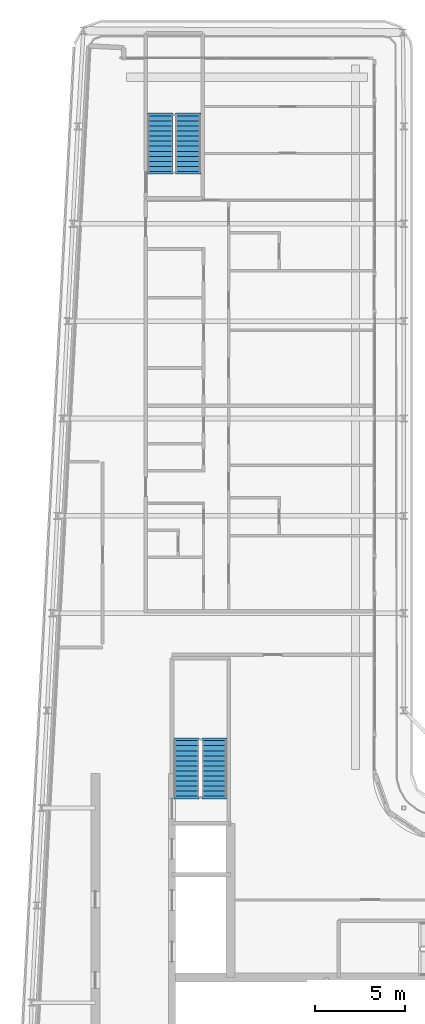
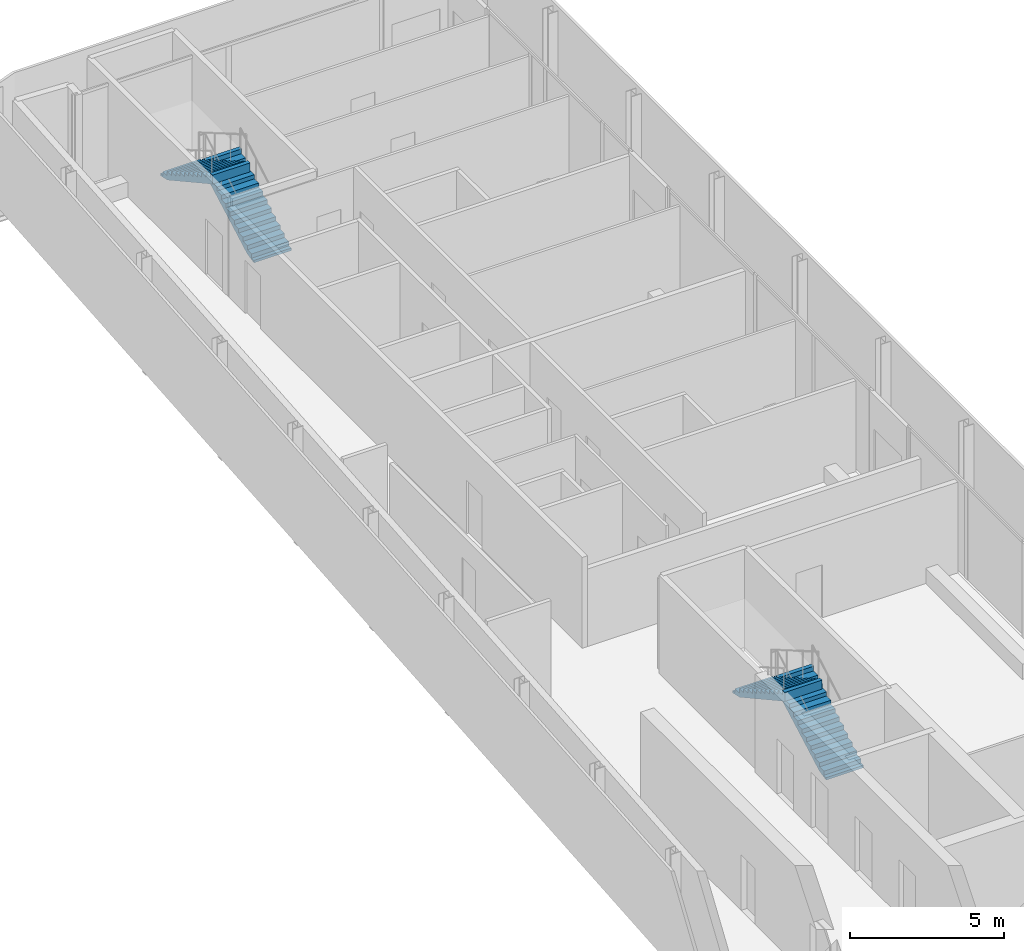
# One storey, part 12 of 17: 4 stair flights, 2 elements without a shape of their own.
"""IFC4 building model written with IfcOpenShell, lengths in metres."""

import ifcopenshell
import ifcopenshell.guid

model = None  # the IFC model being written
_history = None  # IfcOwnerHistory: only IFC2X3 demands one
_inside = {}  # id of a spatial element -> (the spatial element, [elements in it])
_under = {}  # id of a project, library or spatial element -> (it, [spatial elements below it])
_declared = {}  # id of a project -> (the project, [libraries it declares])
_typed = {}  # id of a type object -> (the type object, [elements of that type])
_made_of = {}  # id of a material, layer set ... -> (it, [elements and type objects made of it])


def new_model(schema):
    """Start an empty IFC model of exactly this schema.

    Asked for "IFC4X3", IfcOpenShell would pick the latest addendum, in which some entities
    have other attributes; the version numbers below select the first issue.
    IFC2X3 requires an IfcOwnerHistory on every rooted entity: one is made here for all.
    """
    global model, _history
    if schema == "IFC4X3":
        model = ifcopenshell.file(schema_version=(4, 3, 0, 0))
    else:
        model = ifcopenshell.file(schema=schema)
    _inside.clear()
    _under.clear()
    _declared.clear()
    _typed.clear()
    _made_of.clear()
    _history = None
    if model.schema == "IFC2X3":
        org = make("IfcOrganization", Name="unknown")
        user = make(
            "IfcPersonAndOrganization",
            ThePerson=make("IfcPerson", FamilyName="unknown"),
            TheOrganization=org,
        )
        app = make(
            "IfcApplication",
            ApplicationDeveloper=org,
            Version="unknown",
            ApplicationFullName="unknown",
            ApplicationIdentifier="unknown",
        )
        _history = make(
            "IfcOwnerHistory",
            OwningUser=user,
            OwningApplication=app,
            ChangeAction="ADDED",
            CreationDate=0,
        )
    return model


def make(cls, **values):
    """One entity of the class cls with the attributes given. An attribute that is None is left unset."""
    return model.create_entity(
        cls, **{name: value for name, value in values.items() if value is not None}
    )


def rooted(cls, **values):
    """An entity with a GlobalId (a new one), such as an element, a storey or a relation."""
    return make(cls, GlobalId=ifcopenshell.guid.new(), OwnerHistory=_history, **values)


def si_unit(unit_type, name, prefix=None):
    """IfcSIUnit, for example si_unit("LENGTHUNIT", "METRE", prefix="MILLI")."""
    return make("IfcSIUnit", UnitType=unit_type, Prefix=prefix, Name=name)


def assignment(units):
    """IfcUnitAssignment: the units of a project."""
    return None if units is None else make("IfcUnitAssignment", Units=units)


def point(xyz):
    """IfcCartesianPoint."""
    return None if xyz is None else make("IfcCartesianPoint", Coordinates=xyz)


def direction(xyz):
    """IfcDirection."""
    return None if xyz is None else make("IfcDirection", DirectionRatios=xyz)


def frame(location, z_axis=None, x_axis=None):
    """IfcAxis2Placement3D, a coordinate frame: its origin and axes. An axis left out is left unset."""
    return make(
        "IfcAxis2Placement3D",
        Location=point(location),
        Axis=direction(z_axis),
        RefDirection=direction(x_axis),
    )


def origin():
    """The frame at (0, 0, 0) with its axes left unset."""
    return frame((0.0, 0.0, 0.0))


def place(relative_to, where):
    """IfcLocalPlacement: puts the frame where relative to a parent placement (None: the world)."""
    return make(
        "IfcLocalPlacement", PlacementRelTo=relative_to, RelativePlacement=where
    )


def context(
    kind, dimensions, precision=None, world=None, true_north=None, identifier=None
):
    """IfcGeometricRepresentationContext, for example the 3D "Model" context."""
    return make(
        "IfcGeometricRepresentationContext",
        ContextIdentifier=identifier,
        ContextType=kind,
        CoordinateSpaceDimension=dimensions,
        Precision=precision,
        WorldCoordinateSystem=world,
        TrueNorth=true_north,
    )


def subcontext(parent, identifier, kind, view, scale=None):
    """IfcGeometricRepresentationSubContext, for example "Body" below "Model"."""
    return make(
        "IfcGeometricRepresentationSubContext",
        ContextIdentifier=identifier,
        ContextType=kind,
        ParentContext=parent,
        TargetScale=scale,
        TargetView=view,
    )


def project(units=None, contexts=None):
    """IfcProject with its units and contexts."""
    return rooted(
        "IfcProject",
        Name="project",
        RepresentationContexts=contexts,
        UnitsInContext=assignment(units),
    )


def spatial(cls, under=None, at=None, **own):
    """A site, building, storey or space (cls), placed at a placement, below another one or the project."""
    s = rooted(cls, ObjectPlacement=at, **own)
    if under is not None:
        _under.setdefault(under.id(), (under, []))[1].append(s)
    return s


def polyline(points):
    """IfcPolyline through the points."""
    return make("IfcPolyline", Points=[point(p) for p in points])


def outline(outer, holes=None, kind="AREA"):
    """IfcArbitraryClosedProfileDef: a profile drawn as a closed curve; with holes, ...WithVoids."""
    if holes is None:
        return make("IfcArbitraryClosedProfileDef", ProfileType=kind, OuterCurve=outer)
    return make(
        "IfcArbitraryProfileDefWithVoids",
        ProfileType=kind,
        OuterCurve=outer,
        InnerCurves=holes,
    )


def extrude(swept, where, along, depth):
    """IfcExtrudedAreaSolid: the profile swept, set in the frame where, extruded along a direction by depth."""
    return make(
        "IfcExtrudedAreaSolid",
        SweptArea=swept,
        Position=where,
        ExtrudedDirection=direction(along),
        Depth=depth,
    )


def shape(context_of_items, identifier, shape_type, items):
    """IfcShapeRepresentation: the items that make up one representation, for example the "Body"."""
    return make(
        "IfcShapeRepresentation",
        ContextOfItems=context_of_items,
        RepresentationIdentifier=identifier,
        RepresentationType=shape_type,
        Items=items,
    )


def material(Name=None, Category=None):
    """IfcMaterial."""
    return make("IfcMaterial", Name=Name, Category=Category)


def layer(
    of_material, thickness, ventilated=None, Name=None, Category=None, Priority=None
):
    """IfcMaterialLayer: one layer of a wall or slab, of a material (None: an air gap)."""
    return make(
        "IfcMaterialLayer",
        Material=of_material,
        LayerThickness=thickness,
        IsVentilated=ventilated,
        Name=Name,
        Category=Category,
        Priority=Priority,
    )


def layer_set(layers, Name=None):
    """IfcMaterialLayerSet."""
    return make("IfcMaterialLayerSet", MaterialLayers=layers, LayerSetName=Name)


def made_of(thing, what):
    """Note that an element or type object is made of a material, layer set ...; save() writes the relation."""
    if what is not None:
        _made_of.setdefault(what.id(), (what, []))[1].append(thing)
    return thing


def type_object(cls, material=None, **own):
    """A type object (cls), such as IfcWallType, which elements share."""
    return made_of(rooted(cls, **own), material)


def element(
    cls,
    number,
    at=None,
    inside=None,
    cuts=None,
    type_object=None,
    material=None,
    context=None,
    identifier="Body",
    shape_type=None,
    held_by="IfcProductDefinitionShape",
    body=None,
    shapes=None,
    **own,
):
    """One element of the class cls, such as IfcWall. Its Tag is "e" and its number.

    at: its placement. inside: the storey or other place that contains it. cuts: it is an
    opening in that element (IfcRelVoidsElement). A single representation is given by context,
    identifier, shape_type and body (its items); several are given by shapes. held_by: the class
    of the entity that holds the representations. save() writes the other relations.
    """
    e = rooted(cls, Tag="e%d" % number, ObjectPlacement=at, **own)
    if body is not None:
        shapes = [shape(context, identifier, shape_type, body)]
    if shapes is not None:
        e.Representation = make(held_by, Representations=shapes)
    if inside is not None:
        _inside.setdefault(inside.id(), (inside, []))[1].append(e)
    if cuts is not None:
        rooted(
            "IfcRelVoidsElement", RelatingBuildingElement=cuts, RelatedOpeningElement=e
        )
    if type_object is not None:
        _typed.setdefault(type_object.id(), (type_object, []))[1].append(e)
    return made_of(e, material)


def aggregate(whole, parts):
    """IfcRelAggregates: a whole, such as a stair, and the parts it consists of."""
    return rooted("IfcRelAggregates", RelatingObject=whole, RelatedObjects=parts)


def save(model, path):
    """Write the relations noted so far, then the file.

    IfcRelAggregates (storeys below a building ...), IfcRelContainedInSpatialStructure (elements
    in a storey), IfcRelDefinesByType, IfcRelAssociatesMaterial and IfcRelDeclares: one each for
    every whole, place, type object, material and project.
    """
    for whole, parts in _under.values():
        aggregate(whole, parts)
    for where, things in _inside.values():
        rooted(
            "IfcRelContainedInSpatialStructure",
            RelatedElements=things,
            RelatingStructure=where,
        )
    for kind, things in _typed.values():
        rooted("IfcRelDefinesByType", RelatedObjects=things, RelatingType=kind)
    for what, things in _made_of.values():
        rooted("IfcRelAssociatesMaterial", RelatedObjects=things, RelatingMaterial=what)
    for by, libraries in _declared.values():
        rooted("IfcRelDeclares", RelatingContext=by, RelatedDefinitions=libraries)
    model.write(path)


model = new_model("IFC4")

# Units and contexts
model_context = context("Model", 3, precision=1e-05, world=origin(), true_north=direction((0.0, 1.0)))
body_context = subcontext(model_context, "Body", "Model", "MODEL_VIEW")
ifc_project = project(units=[si_unit("LENGTHUNIT", "METRE"), si_unit("AREAUNIT", "SQUARE_METRE"), si_unit("VOLUMEUNIT", "CUBIC_METRE"), si_unit("PLANEANGLEUNIT", "RADIAN"), si_unit("MASSUNIT", "GRAM", prefix="KILO")], contexts=[model_context])

# Site, building, storey
site_placement = place(None, origin())
site = spatial("IfcSite", under=ifc_project, at=site_placement, CompositionType="ELEMENT")
building_placement = place(site_placement, origin())
building = spatial("IfcBuilding", under=site, at=building_placement, Name="Kheshtan School and Residences Tower", CompositionType="ELEMENT")
storey_placement = place(building_placement, frame((0.0, 0.0, 346.10009765625)))
storey = spatial("IfcBuildingStorey", under=building, at=storey_placement, Name="L81", CompositionType="ELEMENT", Elevation=346.10009765625)

# Stair, stair flights
ifc_material = material(Name="Concrete C40/50", Category="concrete")
stair_type = type_object("IfcStairType", Name="Exit stair, half-turn", PredefinedType="HALF_TURN_STAIR", material=ifc_material)
stair_1_placement = place(storey_placement, origin())
stair_1 = element("IfcStair", 1, at=stair_1_placement, inside=storey, type_object=stair_type, Name="L81 Protected Exit Stair ST2", PredefinedType="HALF_TURN_STAIR")
ifc_layer = layer(ifc_material, 0.14990234375)
ifc_layer_set = layer_set([ifc_layer], Name="Stair flight 1400 Concrete C40/50")
stair_flight_type = type_object("IfcStairFlightType", Name="Stair flight 1400 Concrete C40/50", PredefinedType="STRAIGHT", material=ifc_layer_set)
stair_flight_1_placement = place(storey_placement, frame((37.10009765625, 46.25, 0.0), z_axis=(0.0, 0.0, 1.0), x_axis=(0.0, 1.0, 0.0)))
stair_flight_1 = element("IfcStairFlight", 2, at=stair_flight_1_placement, type_object=stair_flight_type, Name="ST2 flight 1", NumberOfRisers=12, NumberOfTreads=11, PredefinedType="STRAIGHT", RiserHeight=0.1625, TreadLength=0.28, context=body_context, shape_type="SweptSolid", body=[
    extrude(outline(polyline([(-0.14990234375, -0.10009765625), (-0.14990234375, 0.0), (0.0, 0.0), (0.0, 0.16259765625), (0.280029296875, 0.16259765625), (0.280029296875, 0.324951171875), (0.56005859375, 0.324951171875), (0.56005859375, 0.487548828125), (0.840087890625, 0.487548828125), (0.840087890625, 0.64990234375), (1.1201171875, 0.64990234375), (1.1201171875, 0.8125), (1.39990234375, 0.8125), (1.39990234375, 0.97509765625), (1.679931640625, 0.97509765625), (1.679931640625, 1.137451171875), (1.9599609375, 1.137451171875), (1.9599609375, 1.300048828125), (2.239990234375, 1.300048828125), (2.239990234375, 1.46240234375), (2.52001953125, 1.46240234375), (2.52001953125, 1.625), (2.800048828125, 1.625), (2.800048828125, 1.78759765625), (3.080078125, 1.78759765625), (3.080078125, 1.949951171875), (3.080078125, 1.969970703125), (3.22998046875, 1.969970703125), (3.22998046875, 1.6142578125), (0.298583984375, 0.0), (-0.14990234375, -0.10009765625)])), frame((0.0, 0.699951171875, 0.0), z_axis=(0.0, -1.0, 0.0), x_axis=(1.0, 0.0, 0.0)), (0.0, 0.0, 1.0), 1.39990234375),
])
stair_flight_2_placement = place(storey_placement, frame((35.550048828125, 49.330078125, 1.949951171875), z_axis=(0.0, 0.0, 1.0), x_axis=(0.0, -1.0, 0.0)))
stair_flight_2 = element("IfcStairFlight", 3, at=stair_flight_2_placement, type_object=stair_flight_type, Name="ST2 flight 2", NumberOfRisers=12, NumberOfTreads=11, PredefinedType="STRAIGHT", RiserHeight=0.1625, TreadLength=0.28, context=body_context, shape_type="SweptSolid", body=[
    extrude(outline(polyline([(-0.14990234375, -0.10009765625), (-0.14990234375, 0.0), (0.0, 0.0), (0.0, 0.16259765625), (0.280029296875, 0.16259765625), (0.280029296875, 0.324951171875), (0.56005859375, 0.324951171875), (0.56005859375, 0.487548828125), (0.840087890625, 0.487548828125), (0.840087890625, 0.64990234375), (1.1201171875, 0.64990234375), (1.1201171875, 0.8125), (1.39990234375, 0.8125), (1.39990234375, 0.97509765625), (1.679931640625, 0.97509765625), (1.679931640625, 1.137451171875), (1.9599609375, 1.137451171875), (1.9599609375, 1.300048828125), (2.239990234375, 1.300048828125), (2.239990234375, 1.46240234375), (2.52001953125, 1.46240234375), (2.52001953125, 1.625), (2.800048828125, 1.625), (2.800048828125, 1.78759765625), (3.080078125, 1.78759765625), (3.080078125, 1.949951171875), (3.080078125, 1.969970703125), (3.22998046875, 1.969970703125), (3.22998046875, 1.6142578125), (0.298583984375, 0.0), (-0.14990234375, -0.10009765625)])), frame((0.0, 0.699951171875, 0.0), z_axis=(0.0, -1.0, 0.0), x_axis=(1.0, 0.0, 0.0)), (0.0, 0.0, 1.0), 1.39990234375),
])
aggregate(stair_1, [stair_flight_1, stair_flight_2])

stair_2_placement = place(storey_placement, origin())
stair_2 = element("IfcStair", 4, at=stair_2_placement, inside=storey, type_object=stair_type, Name="L81 Protected Exit Stair ST3", PredefinedType="HALF_TURN_STAIR")
stair_flight_3_placement = place(storey_placement, frame((35.64990234375, 80.89990234375, 0.0), z_axis=(0.0, 0.0, 1.0), x_axis=(0.0, 1.0, 0.0)))
stair_flight_3 = element("IfcStairFlight", 5, at=stair_flight_3_placement, type_object=stair_flight_type, Name="ST3 flight 1", NumberOfRisers=12, NumberOfTreads=11, PredefinedType="STRAIGHT", RiserHeight=0.1625, TreadLength=0.28, context=body_context, shape_type="SweptSolid", body=[
    extrude(outline(polyline([(-0.14990234375, -0.10009765625), (-0.14990234375, 0.0), (0.0, 0.0), (0.0, 0.16259765625), (0.280029296875, 0.16259765625), (0.280029296875, 0.324951171875), (0.56005859375, 0.324951171875), (0.56005859375, 0.487548828125), (0.840087890625, 0.487548828125), (0.840087890625, 0.64990234375), (1.1201171875, 0.64990234375), (1.1201171875, 0.8125), (1.39990234375, 0.8125), (1.39990234375, 0.97509765625), (1.679931640625, 0.97509765625), (1.679931640625, 1.137451171875), (1.9599609375, 1.137451171875), (1.9599609375, 1.300048828125), (2.239990234375, 1.300048828125), (2.239990234375, 1.46240234375), (2.52001953125, 1.46240234375), (2.52001953125, 1.625), (2.800048828125, 1.625), (2.800048828125, 1.78759765625), (3.080078125, 1.78759765625), (3.080078125, 1.949951171875), (3.080078125, 1.969970703125), (3.22998046875, 1.969970703125), (3.22998046875, 1.6142578125), (0.298583984375, 0.0), (-0.14990234375, -0.10009765625)])), frame((0.0, 0.699951171875, 0.0), z_axis=(0.0, -1.0, 0.0), x_axis=(1.0, 0.0, 0.0)), (0.0, 0.0, 1.0), 1.39990234375),
])
stair_flight_4_placement = place(storey_placement, frame((34.10009765625, 83.97998046875, 1.949951171875), z_axis=(0.0, 0.0, 1.0), x_axis=(0.0, -1.0, 0.0)))
stair_flight_4 = element("IfcStairFlight", 6, at=stair_flight_4_placement, type_object=stair_flight_type, Name="ST3 flight 2", NumberOfRisers=12, NumberOfTreads=11, PredefinedType="STRAIGHT", RiserHeight=0.1625, TreadLength=0.28, context=body_context, shape_type="SweptSolid", body=[
    extrude(outline(polyline([(-0.14990234375, -0.10009765625), (-0.14990234375, 0.0), (0.0, 0.0), (0.0, 0.16259765625), (0.280029296875, 0.16259765625), (0.280029296875, 0.324951171875), (0.56005859375, 0.324951171875), (0.56005859375, 0.487548828125), (0.840087890625, 0.487548828125), (0.840087890625, 0.64990234375), (1.1201171875, 0.64990234375), (1.1201171875, 0.8125), (1.39990234375, 0.8125), (1.39990234375, 0.97509765625), (1.679931640625, 0.97509765625), (1.679931640625, 1.137451171875), (1.9599609375, 1.137451171875), (1.9599609375, 1.300048828125), (2.239990234375, 1.300048828125), (2.239990234375, 1.46240234375), (2.52001953125, 1.46240234375), (2.52001953125, 1.625), (2.800048828125, 1.625), (2.800048828125, 1.78759765625), (3.080078125, 1.78759765625), (3.080078125, 1.949951171875), (3.080078125, 1.969970703125), (3.22998046875, 1.969970703125), (3.22998046875, 1.6142578125), (0.298583984375, 0.0), (-0.14990234375, -0.10009765625)])), frame((0.0, 0.699951171875, 0.0), z_axis=(0.0, -1.0, 0.0), x_axis=(1.0, 0.0, 0.0)), (0.0, 0.0, 1.0), 1.39990234375),
])
aggregate(stair_2, [stair_flight_3, stair_flight_4])

save(model, "model.ifc")
